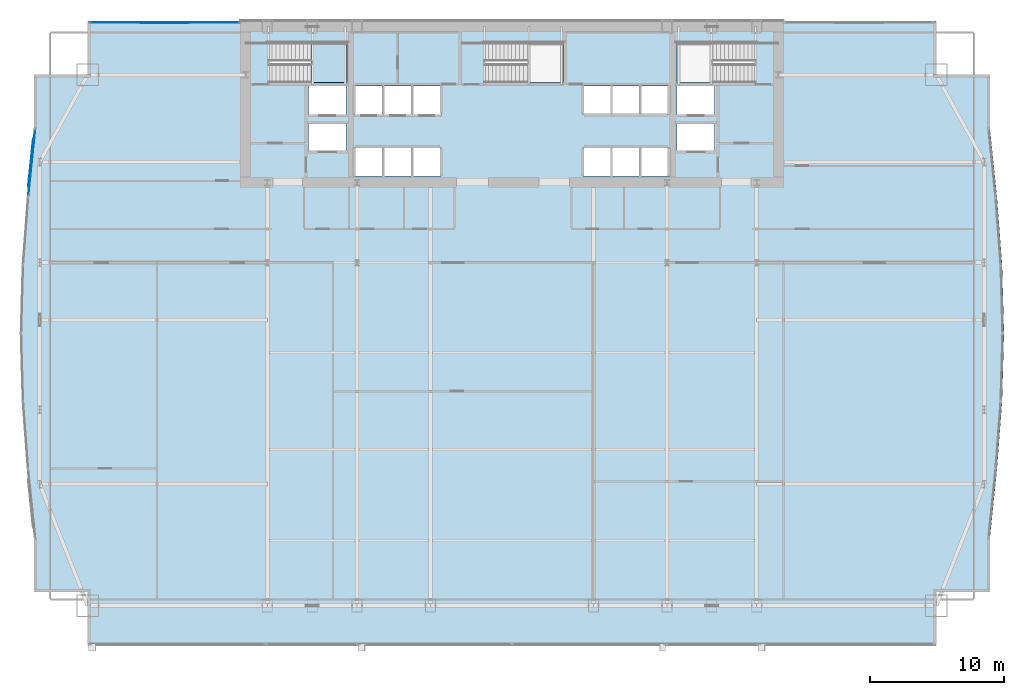
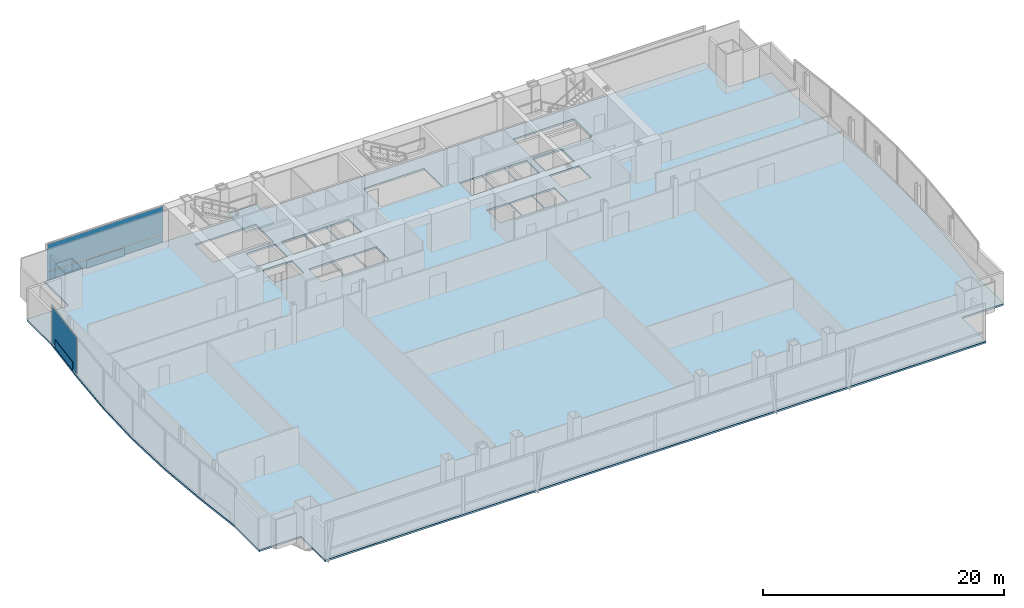
# One storey, part 26 of 33: 5 plates, 2 slabs, 3 elements without a shape of their own.
"""IFC4 building model written with IfcOpenShell, lengths in metres."""

from ifc_helpers import new_model, si_unit, direction, frame, origin, origin_2d, place, context, subcontext, project, spatial, polyline, rectangle, outline, extrude, material, layer, layer_set, type_object, element, aggregate, save


model = new_model("IFC4")

# Units and contexts
model_context = context("Model", 3, precision=1e-05, world=origin(), true_north=direction((0.0, 1.0)))
body_context = subcontext(model_context, "Body", "Model", "MODEL_VIEW")
ifc_project = project(units=[si_unit("LENGTHUNIT", "METRE"), si_unit("AREAUNIT", "SQUARE_METRE"), si_unit("VOLUMEUNIT", "CUBIC_METRE"), si_unit("PLANEANGLEUNIT", "RADIAN"), si_unit("MASSUNIT", "GRAM", prefix="KILO")], contexts=[model_context])

# Site, building, storey
site_placement = place(None, origin())
site = spatial("IfcSite", under=ifc_project, at=site_placement, CompositionType="ELEMENT")
building_placement = place(site_placement, origin())
building = spatial("IfcBuilding", under=site, at=building_placement, Name="Khoronbel Lancet Exchange", CompositionType="ELEMENT")
storey_placement = place(building_placement, frame((0.0, 0.0, 33.800048828125)))
storey = spatial("IfcBuildingStorey", under=building, at=storey_placement, Name="L07", CompositionType="ELEMENT", Elevation=33.800048828125)

# Curtain wall, plate
ifc_material_1 = material(Name="Low-E Solar Control Insulating Glass", Category="glass")
curtain_wall_type_1 = type_object("IfcCurtainWallType", Name="CW-4", PredefinedType="NOTDEFINED", material=ifc_material_1)
curtain_wall_1_placement = place(storey_placement, origin())
curtain_wall_1 = element("IfcCurtainWall", 1, at=curtain_wall_1_placement, inside=storey, type_object=curtain_wall_type_1, Name="Unitised curtain wall CW-L07-E09", PredefinedType="NOTDEFINED")
ifc_material_2 = material(Name="Bronze-Anodised Aluminium 6063-T6", Category="aluminium")
ifc_layer_1 = layer(ifc_material_2, 0.050048828125, Name="Bronze-Anodised Aluminium 6063-T6")
ifc_layer_set_1 = layer_set([ifc_layer_1], Name="Bronze-Anodised Aluminium 6063-T6")
plate_type_1 = type_object("IfcPlateType", Name="PLT-CSP1", PredefinedType="SHEET", material=ifc_layer_set_1)
plate_1_placement = place(storey_placement, frame((0.61767578125, 43.158203125, 0.0498046875), z_axis=(0.0, 0.0, 1.0), x_axis=(0.102723015403, 0.994709998998, 0.0)))
plate_1 = element("IfcPlate", 2, at=plate_1_placement, type_object=plate_type_1, Name="Insulated bronze spandrel cassette CW-L07-E09", PredefinedType="SHEET", context=body_context, shape_type="SweptSolid", body=[
    extrude(rectangle(XDim=3.57958984375, YDim=0.050048828125, at=origin_2d()), origin(), (0.0, 0.0, 1.0), 0.800048828125),
])

# Curtain wall, plates
curtain_wall_type_2 = type_object("IfcCurtainWallType", Name="CW-1", PredefinedType="NOTDEFINED", material=ifc_material_1)
curtain_wall_2_placement = place(storey_placement, origin())
curtain_wall_2 = element("IfcCurtainWall", 3, at=curtain_wall_2_placement, inside=storey, type_object=curtain_wall_type_2, Name="Unitised curtain wall CW-L07-NWFLK", PredefinedType="NOTDEFINED")
plate_2_placement = place(storey_placement, frame((10.580078125, 53.550048828125, 0.0498046875), z_axis=(0.0, 0.0, 1.0), x_axis=(-1.0, 0.0, 0.0)))
plate_2 = element("IfcPlate", 4, at=plate_2_placement, type_object=plate_type_1, Name="Insulated bronze spandrel cassette CW-L07-NWFLK", PredefinedType="SHEET", context=body_context, shape_type="SweptSolid", body=[
    extrude(rectangle(XDim=3.60009765625, YDim=0.050048828125, at=origin_2d()), origin(), (0.0, 0.0, 1.0), 0.800048828125),
])
ifc_layer_2 = layer(ifc_material_1, 0.035888671875, Name="Low-E Solar Control Insulating Glass")
ifc_layer_set_2 = layer_set([ifc_layer_2], Name="Low-E Solar Control Insulating Glass")
plate_type_2 = type_object("IfcPlateType", Name="PLT-CWP1", PredefinedType="CURTAIN_PANEL", material=ifc_layer_set_2)
plate_3_placement = place(storey_placement, frame((10.580078125, 53.610107421875, 0.0849609375), z_axis=(0.0, 0.0, 1.0), x_axis=(-1.0, 0.0, 0.0)))
plate_3 = element("IfcPlate", 5, at=plate_3_placement, type_object=plate_type_2, Name="CW1 panel 1.1", PredefinedType="CURTAIN_PANEL", context=body_context, shape_type="SweptSolid", body=[
    extrude(rectangle(XDim=11.110107421875, YDim=0.0380859375, at=origin_2d()), origin(), (0.0, 0.0, 1.0), 0.822509765625),
])
plate_4_placement = place(storey_placement, frame((10.580078125, 53.610107421875, 0.99267578125), z_axis=(0.0, 0.0, 1.0), x_axis=(-1.0, 0.0, 0.0)))
plate_4 = element("IfcPlate", 6, at=plate_4_placement, type_object=plate_type_2, Name="CW1 panel 1.2", PredefinedType="CURTAIN_PANEL", context=body_context, shape_type="SweptSolid", body=[
    extrude(rectangle(XDim=11.110107421875, YDim=0.0380859375, at=origin_2d()), origin(), (0.0, 0.0, 1.0), 2.742431640625),
])
aggregate(curtain_wall_2, [plate_3, plate_4, plate_2])

# Plate
ifc_material_3 = material(Name="Ceramic-Fritted Laminated Insulating Glass", Category="glass")
ifc_layer_3 = layer(ifc_material_3, 0.0419921875, Name="Ceramic-Fritted Laminated Insulating Glass")
ifc_layer_set_3 = layer_set([ifc_layer_3], Name="Ceramic-Fritted Laminated Insulating Glass")
plate_type_3 = type_object("IfcPlateType", Name="PLT-CWP2", PredefinedType="CURTAIN_PANEL", material=ifc_layer_set_3)
plate_5_placement = place(storey_placement, frame((0.67724609375, 43.152099609375, 0.0849609375), z_axis=(0.0, 0.0, 1.0), x_axis=(0.102723015403, 0.994709998998, 0.0)))
plate_5 = element("IfcPlate", 7, at=plate_5_placement, type_object=plate_type_3, Name="CW4 panel 1.1", PredefinedType="CURTAIN_PANEL", context=body_context, shape_type="SweptSolid", body=[
    extrude(rectangle(XDim=4.9638671875, YDim=0.0380859375, at=origin_2d()), origin(), (0.0, 0.0, 1.0), 3.64990234375),
])

aggregate(curtain_wall_1, [plate_5, plate_1])

# Slab
ifc_material_4 = material(Name="Concrete C40/50", Category="concrete")
ifc_layer_4 = layer(ifc_material_4, 0.179931640625, Name="Concrete C40/50")
ifc_layer_set_4 = layer_set([ifc_layer_4], Name="Concrete C40/50")
slab_type_1 = type_object("IfcSlabType", Name="SL-FL180", PredefinedType="FLOOR", material=ifc_layer_set_4)
slab_1_placement = place(storey_placement, frame((0.0, 0.0, -0.179931640625)))
element("IfcSlab", 8, at=slab_1_placement, inside=storey, type_object=slab_type_1, Name="Level L07 composite structural floor slab", PredefinedType="FLOOR", context=body_context, shape_type="SweptSolid", body=[
    extrude(outline(polyline([(4.85009765625, 7.199951171875), (68.050048828125, 7.199951171875), (68.050048828125, 11.199951171875), (72.050048828125, 11.199951171875), (72.050048828125, 15.199951171875), (72.574951171875, 20.283203125), (72.959228515625, 25.36669921875), (73.10009765625, 30.449951171875), (72.959228515625, 35.533203125), (72.574951171875, 40.61669921875), (72.050048828125, 45.699951171875), (72.050048828125, 49.699951171875), (68.050048828125, 49.699951171875), (68.050048828125, 53.699951171875), (4.85009765625, 53.699951171875), (4.85009765625, 49.699951171875), (0.85009765625, 49.699951171875), (0.85009765625, 45.699951171875), (0.324951171875, 40.61669921875), (-0.059326171875, 35.533203125), (-0.199951171875, 30.449951171875), (-0.059326171875, 25.36669921875), (0.324951171875, 20.283203125), (0.85009765625, 15.199951171875), (0.85009765625, 11.199951171875), (4.85009765625, 11.199951171875), (4.85009765625, 7.199951171875)]), holes=[polyline([(18.324951171875, 49.1201171875), (24.14990234375, 49.1201171875), (24.14990234375, 52.10009765625), (18.324951171875, 52.10009765625), (18.324951171875, 49.1201171875)]), polyline([(48.75, 49.1201171875), (54.574951171875, 49.1201171875), (54.574951171875, 52.10009765625), (48.75, 52.10009765625), (48.75, 49.1201171875)]), polyline([(34.425048828125, 49.1201171875), (40.25, 49.1201171875), (40.25, 52.10009765625), (34.425048828125, 52.10009765625), (34.425048828125, 49.1201171875)]), polyline([(24.699951171875, 46.75), (26.840087890625, 46.75), (26.840087890625, 48.85009765625), (24.699951171875, 48.85009765625), (24.699951171875, 46.75)]), polyline([(26.860107421875, 46.75), (29.0, 46.75), (29.0, 48.85009765625), (26.860107421875, 48.85009765625), (26.860107421875, 46.75)]), polyline([(29.02001953125, 46.75), (31.159912109375, 46.75), (31.159912109375, 48.85009765625), (29.02001953125, 48.85009765625), (29.02001953125, 46.75)]), polyline([(24.699951171875, 42.14990234375), (26.840087890625, 42.14990234375), (26.840087890625, 44.300048828125), (24.699951171875, 44.300048828125), (24.699951171875, 42.14990234375)]), polyline([(26.860107421875, 42.14990234375), (29.0, 42.14990234375), (29.0, 44.300048828125), (26.860107421875, 44.300048828125), (26.860107421875, 42.14990234375)]), polyline([(29.02001953125, 42.14990234375), (31.159912109375, 42.14990234375), (31.159912109375, 44.300048828125), (29.02001953125, 44.300048828125), (29.02001953125, 42.14990234375)]), polyline([(41.739990234375, 46.75), (43.8798828125, 46.75), (43.8798828125, 48.85009765625), (41.739990234375, 48.85009765625), (41.739990234375, 46.75)]), polyline([(43.89990234375, 46.75), (46.0400390625, 46.75), (46.0400390625, 48.85009765625), (43.89990234375, 48.85009765625), (43.89990234375, 46.75)]), polyline([(46.06005859375, 46.75), (48.199951171875, 46.75), (48.199951171875, 48.85009765625), (46.06005859375, 48.85009765625), (46.06005859375, 46.75)]), polyline([(41.739990234375, 42.14990234375), (43.8798828125, 42.14990234375), (43.8798828125, 44.300048828125), (41.739990234375, 44.300048828125), (41.739990234375, 42.14990234375)]), polyline([(43.89990234375, 42.14990234375), (46.0400390625, 42.14990234375), (46.0400390625, 44.300048828125), (43.89990234375, 44.300048828125), (43.89990234375, 42.14990234375)]), polyline([(46.06005859375, 42.14990234375), (48.199951171875, 42.14990234375), (48.199951171875, 44.300048828125), (46.06005859375, 44.300048828125), (46.06005859375, 42.14990234375)]), polyline([(21.300048828125, 46.75), (24.10009765625, 46.75), (24.10009765625, 48.85009765625), (21.300048828125, 48.85009765625), (21.300048828125, 46.75)]), polyline([(48.75, 46.75), (51.550048828125, 46.75), (51.550048828125, 48.85009765625), (48.75, 48.85009765625), (48.75, 46.75)]), polyline([(21.300048828125, 44.050048828125), (24.10009765625, 44.050048828125), (24.10009765625, 46.050048828125), (21.300048828125, 46.050048828125), (21.300048828125, 44.050048828125)]), polyline([(48.75, 44.050048828125), (51.550048828125, 44.050048828125), (51.550048828125, 46.050048828125), (48.75, 46.050048828125), (48.75, 44.050048828125)])]), origin(), (0.0, 0.0, 1.0), 0.179931640625),
])

# Stair, slab
stair_type = type_object("IfcStairType", Name="STR-CORE150", PredefinedType="HALF_TURN_STAIR", material=ifc_material_4)
stair_placement = place(storey_placement, origin())
stair = element("IfcStair", 9, at=stair_placement, inside=storey, type_object=stair_type, Name="L07 Protected Exit Stair ST1", PredefinedType="HALF_TURN_STAIR")
ifc_layer_5 = layer(ifc_material_4, 0.199951171875, Name="Concrete C40/50")
ifc_layer_set_5 = layer_set([ifc_layer_5], Name="Concrete C40/50")
slab_type_2 = type_object("IfcSlabType", Name="SL-LND180", PredefinedType="LANDING", material=ifc_layer_set_5)
slab_2_placement = place(storey_placement, frame((0.0, 0.0, 1.800048828125)))
slab_2 = element("IfcSlab", 10, at=slab_2_placement, type_object=slab_type_2, Name="ST1 landing 1", PredefinedType="LANDING", context=body_context, shape_type="SweptSolid", body=[
    extrude(outline(polyline([(21.489990234375, 49.1201171875), (24.14990234375, 49.1201171875), (24.14990234375, 52.10009765625), (21.489990234375, 52.10009765625), (21.489990234375, 49.1201171875)])), origin(), (0.0, 0.0, 1.0), 0.199951171875),
])
aggregate(stair, [slab_2])

save(model, "model.ifc")
